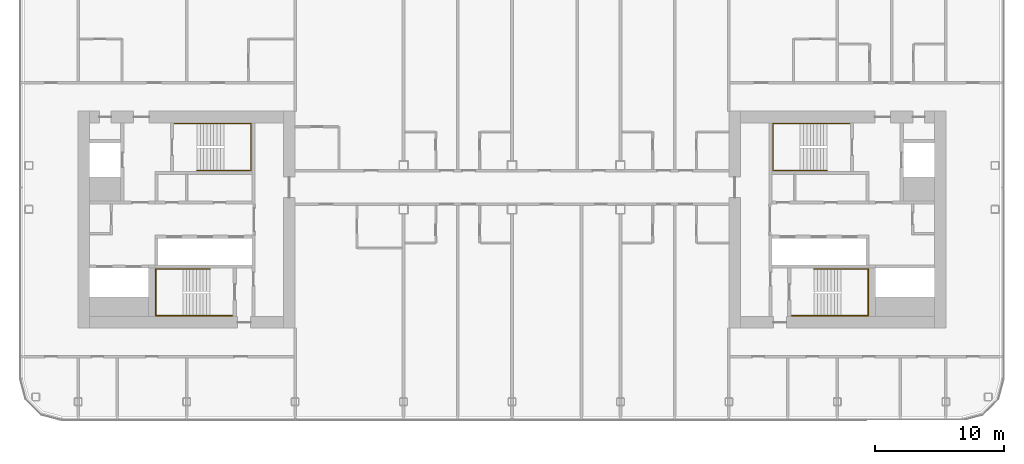
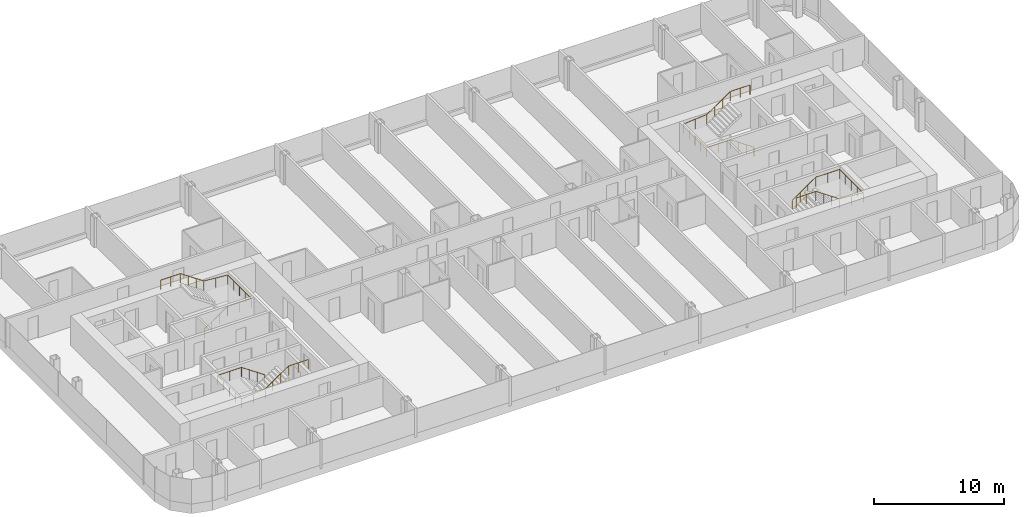
# One storey, part 26 of 26: 4 railings.
"""IFC4 building model written with IfcOpenShell, lengths in metres."""

from ifc_helpers import new_model, si_unit, direction, frame, origin, origin_2d, place, context, subcontext, project, spatial, circle, extrude, material, type_object, element, save


model = new_model("IFC4")

# Units and contexts
model_context = context("Model", 3, precision=1e-05, world=origin(), true_north=direction((0.0, 1.0)))
body_context = subcontext(model_context, "Body", "Model", "MODEL_VIEW")
ifc_project = project(units=[si_unit("LENGTHUNIT", "METRE"), si_unit("AREAUNIT", "SQUARE_METRE"), si_unit("VOLUMEUNIT", "CUBIC_METRE"), si_unit("PLANEANGLEUNIT", "RADIAN"), si_unit("MASSUNIT", "GRAM", prefix="KILO")], contexts=[model_context])

# Site, building, storey
site_placement = place(None, origin())
site = spatial("IfcSite", under=ifc_project, at=site_placement, CompositionType="ELEMENT")
building_placement = place(site_placement, origin())
building = spatial("IfcBuilding", under=site, at=building_placement, Name="Hakoniwa Tower and Hamabe Station Hall", CompositionType="ELEMENT")
storey_placement = place(building_placement, frame((0.0, 0.0, 209.0)))
storey = spatial("IfcBuildingStorey", under=building, at=storey_placement, Name="L59", CompositionType="ELEMENT", Elevation=209.0)

# Railings
ifc_material = material(Name="Stainless steel SUS304", Category="steel")
railing_type = type_object("IfcRailingType", Name="STAIR HANDRAIL 900", PredefinedType="HANDRAIL", material=ifc_material)
railing_1_placement = place(storey_placement, frame((-24.39990234375, 3.81005859375, 0.177734375)))
element("IfcRailing", 1, at=railing_1_placement, inside=storey, type_object=railing_type, Name="Handrail ST-1 L59 1", PredefinedType="HANDRAIL", context=body_context, shape_type="SweptSolid", body=[
    extrude(circle(Radius=0.02392578125, at=origin_2d()), frame((0.0, 0.0, 0.8759765625), z_axis=(0.825433201882, 0.0, 0.564499804456), x_axis=(0.0, 1.0, 0.0)), (0.0, 0.0, 1.0), 2.519775390625),
    extrude(circle(Radius=0.02392578125, at=origin_2d()), frame((2.079833984375, 0.0, 2.29833984375), z_axis=(1.0, 0.0, 0.0), x_axis=(0.0, 1.0, 0.0)), (0.0, 0.0, 1.0), 2.110107421875),
    extrude(circle(Radius=0.02392578125, at=origin_2d()), frame((4.18994140625, 0.0, 2.29833984375), z_axis=(0.0, 1.0, 0.0), x_axis=(-1.0, 0.0, 0.0)), (0.0, 0.0, 1.0), 3.6298828125),
    extrude(circle(Radius=0.02392578125, at=origin_2d()), frame((4.18994140625, 3.6298828125, 2.29833984375), z_axis=(-0.996471417081, 0.0, 0.083932800143), x_axis=(0.0, -1.0, 0.0)), (0.0, 0.0, 1.0), 2.11767578125),
    extrude(circle(Radius=0.02392578125, at=origin_2d()), frame((2.079833984375, 3.6298828125, 2.47607421875), z_axis=(-0.825478349766, 0.0, 0.564433781827), x_axis=(0.0, -1.0, 0.0)), (0.0, 0.0, 1.0), 2.51953125),
    extrude(circle(Radius=0.02392578125, at=origin_2d()), frame((0.0, 3.6298828125, 3.89794921875), z_axis=(-1.0, 0.0, 0.0), x_axis=(0.0, -1.0, 0.0)), (0.0, 0.0, 1.0), 1.739990234375),
    extrude(circle(Radius=0.02099609375, at=origin_2d()), origin(), (0.0, 0.0, 1.0), 0.851806640625),
    extrude(circle(Radius=0.02099609375, at=origin_2d()), frame((0.693359375, 0.0, 0.47412109375)), (0.0, 0.0, 1.0), 0.851806640625),
    extrude(circle(Radius=0.02099609375, at=origin_2d()), frame((1.386474609375, 0.0, 0.9482421875)), (0.0, 0.0, 1.0), 0.851806640625),
    extrude(circle(Radius=0.02099609375, at=origin_2d()), frame((2.079833984375, 0.0, 1.42236328125)), (0.0, 0.0, 1.0), 0.851806640625),
    extrude(circle(Radius=0.02099609375, at=origin_2d()), frame((3.134765625, 0.0, 1.42236328125)), (0.0, 0.0, 1.0), 0.851806640625),
    extrude(circle(Radius=0.02099609375, at=origin_2d()), frame((4.18994140625, 0.0, 1.42236328125)), (0.0, 0.0, 1.0), 0.851806640625),
    extrude(circle(Radius=0.02099609375, at=origin_2d()), frame((4.18994140625, 0.907470703125, 1.42236328125)), (0.0, 0.0, 1.0), 0.851806640625),
    extrude(circle(Radius=0.02099609375, at=origin_2d()), frame((4.18994140625, 1.81494140625, 1.42236328125)), (0.0, 0.0, 1.0), 0.851806640625),
    extrude(circle(Radius=0.02099609375, at=origin_2d()), frame((4.18994140625, 2.722412109375, 1.42236328125)), (0.0, 0.0, 1.0), 0.851806640625),
    extrude(circle(Radius=0.02099609375, at=origin_2d()), frame((4.18994140625, 3.6298828125, 1.42236328125)), (0.0, 0.0, 1.0), 0.851806640625),
    extrude(circle(Radius=0.02099609375, at=origin_2d()), frame((3.134765625, 3.6298828125, 1.51123046875)), (0.0, 0.0, 1.0), 0.851806640625),
    extrude(circle(Radius=0.02099609375, at=origin_2d()), frame((2.079833984375, 3.6298828125, 1.60009765625)), (0.0, 0.0, 1.0), 0.851806640625),
    extrude(circle(Radius=0.02099609375, at=origin_2d()), frame((1.386474609375, 3.6298828125, 2.07421875)), (0.0, 0.0, 1.0), 0.851806640625),
    extrude(circle(Radius=0.02099609375, at=origin_2d()), frame((0.693359375, 3.6298828125, 2.548095703125)), (0.0, 0.0, 1.0), 0.851806640625),
    extrude(circle(Radius=0.02099609375, at=origin_2d()), frame((0.0, 3.6298828125, 3.022216796875)), (0.0, 0.0, 1.0), 0.851806640625),
    extrude(circle(Radius=0.02099609375, at=origin_2d()), frame((-0.8701171875, 3.6298828125, 3.022216796875)), (0.0, 0.0, 1.0), 0.851806640625),
    extrude(circle(Radius=0.02099609375, at=origin_2d()), frame((-1.739990234375, 3.6298828125, 3.022216796875)), (0.0, 0.0, 1.0), 0.851806640625),
])
railing_2_placement = place(storey_placement, frame((-23.39990234375, -3.81005859375, 0.177734375)))
element("IfcRailing", 2, at=railing_2_placement, inside=storey, type_object=railing_type, Name="Handrail ST-2 L59 1", PredefinedType="HANDRAIL", context=body_context, shape_type="SweptSolid", body=[
    extrude(circle(Radius=0.02392578125, at=origin_2d()), frame((0.0, 0.0, 0.8759765625), z_axis=(-0.825464074169, 0.0, 0.564454659168), x_axis=(0.0, -1.0, 0.0)), (0.0, 0.0, 1.0), 2.519775390625),
    extrude(circle(Radius=0.02392578125, at=origin_2d()), frame((-2.080078125, 0.0, 2.29833984375), z_axis=(-1.0, 0.0, 0.0), x_axis=(0.0, -1.0, 0.0)), (0.0, 0.0, 1.0), 2.110107421875),
    extrude(circle(Radius=0.02392578125, at=origin_2d()), frame((-4.190185546875, 0.0, 2.29833984375), z_axis=(0.0, -1.0, 0.0), x_axis=(1.0, 0.0, 0.0)), (0.0, 0.0, 1.0), 3.6298828125),
    extrude(circle(Radius=0.02392578125, at=origin_2d()), frame((-4.190185546875, -3.6298828125, 2.29833984375), z_axis=(0.996471417081, 0.0, 0.083932800143), x_axis=(0.0, 1.0, 0.0)), (0.0, 0.0, 1.0), 2.11767578125),
    extrude(circle(Radius=0.02392578125, at=origin_2d()), frame((-2.080078125, -3.6298828125, 2.47607421875), z_axis=(0.82550921652, 0.0, 0.564388636881), x_axis=(0.0, 1.0, 0.0)), (0.0, 0.0, 1.0), 2.519775390625),
    extrude(circle(Radius=0.02392578125, at=origin_2d()), frame((0.0, -3.6298828125, 3.89794921875), z_axis=(1.0, 0.0, 0.0), x_axis=(0.0, 1.0, 0.0)), (0.0, 0.0, 1.0), 1.739990234375),
    extrude(circle(Radius=0.02099609375, at=origin_2d()), origin(), (0.0, 0.0, 1.0), 0.851806640625),
    extrude(circle(Radius=0.02099609375, at=origin_2d()), frame((-0.693359375, 0.0, 0.47412109375)), (0.0, 0.0, 1.0), 0.851806640625),
    extrude(circle(Radius=0.02099609375, at=origin_2d()), frame((-1.38671875, 0.0, 0.9482421875)), (0.0, 0.0, 1.0), 0.851806640625),
    extrude(circle(Radius=0.02099609375, at=origin_2d()), frame((-2.080078125, 0.0, 1.42236328125)), (0.0, 0.0, 1.0), 0.851806640625),
    extrude(circle(Radius=0.02099609375, at=origin_2d()), frame((-3.13525390625, 0.0, 1.42236328125)), (0.0, 0.0, 1.0), 0.851806640625),
    extrude(circle(Radius=0.02099609375, at=origin_2d()), frame((-4.190185546875, 0.0, 1.42236328125)), (0.0, 0.0, 1.0), 0.851806640625),
    extrude(circle(Radius=0.02099609375, at=origin_2d()), frame((-4.190185546875, -0.907470703125, 1.42236328125)), (0.0, 0.0, 1.0), 0.851806640625),
    extrude(circle(Radius=0.02099609375, at=origin_2d()), frame((-4.190185546875, -1.81494140625, 1.42236328125)), (0.0, 0.0, 1.0), 0.851806640625),
    extrude(circle(Radius=0.02099609375, at=origin_2d()), frame((-4.190185546875, -2.722412109375, 1.42236328125)), (0.0, 0.0, 1.0), 0.851806640625),
    extrude(circle(Radius=0.02099609375, at=origin_2d()), frame((-4.190185546875, -3.6298828125, 1.42236328125)), (0.0, 0.0, 1.0), 0.851806640625),
    extrude(circle(Radius=0.02099609375, at=origin_2d()), frame((-3.13525390625, -3.6298828125, 1.51123046875)), (0.0, 0.0, 1.0), 0.851806640625),
    extrude(circle(Radius=0.02099609375, at=origin_2d()), frame((-2.080078125, -3.6298828125, 1.60009765625)), (0.0, 0.0, 1.0), 0.851806640625),
    extrude(circle(Radius=0.02099609375, at=origin_2d()), frame((-1.38671875, -3.6298828125, 2.07421875)), (0.0, 0.0, 1.0), 0.851806640625),
    extrude(circle(Radius=0.02099609375, at=origin_2d()), frame((-0.693359375, -3.6298828125, 2.548095703125)), (0.0, 0.0, 1.0), 0.851806640625),
    extrude(circle(Radius=0.02099609375, at=origin_2d()), frame((0.0, -3.6298828125, 3.022216796875)), (0.0, 0.0, 1.0), 0.851806640625),
    extrude(circle(Radius=0.02099609375, at=origin_2d()), frame((0.8701171875, -3.6298828125, 3.022216796875)), (0.0, 0.0, 1.0), 0.851806640625),
    extrude(circle(Radius=0.02099609375, at=origin_2d()), frame((1.739990234375, -3.6298828125, 3.022216796875)), (0.0, 0.0, 1.0), 0.851806640625),
])
railing_3_placement = place(storey_placement, frame((24.39990234375, 3.81005859375, 0.177734375)))
element("IfcRailing", 3, at=railing_3_placement, inside=storey, type_object=railing_type, Name="Handrail ST-3 L59 1", PredefinedType="HANDRAIL", context=body_context, shape_type="SweptSolid", body=[
    extrude(circle(Radius=0.02392578125, at=origin_2d()), frame((0.0, 0.0, 0.8759765625), z_axis=(-0.825433201882, 0.0, 0.564499804456), x_axis=(0.0, -1.0, 0.0)), (0.0, 0.0, 1.0), 2.519775390625),
    extrude(circle(Radius=0.02392578125, at=origin_2d()), frame((-2.079833984375, 0.0, 2.29833984375), z_axis=(-1.0, 0.0, 0.0), x_axis=(0.0, -1.0, 0.0)), (0.0, 0.0, 1.0), 2.110107421875),
    extrude(circle(Radius=0.02392578125, at=origin_2d()), frame((-4.18994140625, 0.0, 2.29833984375), z_axis=(0.0, 1.0, 0.0), x_axis=(-1.0, 0.0, 0.0)), (0.0, 0.0, 1.0), 3.6298828125),
    extrude(circle(Radius=0.02392578125, at=origin_2d()), frame((-4.18994140625, 3.6298828125, 2.29833984375), z_axis=(0.996471417081, 0.0, 0.083932800143), x_axis=(0.0, 1.0, 0.0)), (0.0, 0.0, 1.0), 2.11767578125),
    extrude(circle(Radius=0.02392578125, at=origin_2d()), frame((-2.079833984375, 3.6298828125, 2.47607421875), z_axis=(0.825478349766, 0.0, 0.564433781827), x_axis=(0.0, 1.0, 0.0)), (0.0, 0.0, 1.0), 2.51953125),
    extrude(circle(Radius=0.02392578125, at=origin_2d()), frame((0.0, 3.6298828125, 3.89794921875), z_axis=(1.0, 0.0, 0.0), x_axis=(0.0, 1.0, 0.0)), (0.0, 0.0, 1.0), 1.739990234375),
    extrude(circle(Radius=0.02099609375, at=origin_2d()), origin(), (0.0, 0.0, 1.0), 0.851806640625),
    extrude(circle(Radius=0.02099609375, at=origin_2d()), frame((-0.693359375, 0.0, 0.47412109375)), (0.0, 0.0, 1.0), 0.851806640625),
    extrude(circle(Radius=0.02099609375, at=origin_2d()), frame((-1.386474609375, 0.0, 0.9482421875)), (0.0, 0.0, 1.0), 0.851806640625),
    extrude(circle(Radius=0.02099609375, at=origin_2d()), frame((-2.079833984375, 0.0, 1.42236328125)), (0.0, 0.0, 1.0), 0.851806640625),
    extrude(circle(Radius=0.02099609375, at=origin_2d()), frame((-3.134765625, 0.0, 1.42236328125)), (0.0, 0.0, 1.0), 0.851806640625),
    extrude(circle(Radius=0.02099609375, at=origin_2d()), frame((-4.18994140625, 0.0, 1.42236328125)), (0.0, 0.0, 1.0), 0.851806640625),
    extrude(circle(Radius=0.02099609375, at=origin_2d()), frame((-4.18994140625, 0.907470703125, 1.42236328125)), (0.0, 0.0, 1.0), 0.851806640625),
    extrude(circle(Radius=0.02099609375, at=origin_2d()), frame((-4.18994140625, 1.81494140625, 1.42236328125)), (0.0, 0.0, 1.0), 0.851806640625),
    extrude(circle(Radius=0.02099609375, at=origin_2d()), frame((-4.18994140625, 2.722412109375, 1.42236328125)), (0.0, 0.0, 1.0), 0.851806640625),
    extrude(circle(Radius=0.02099609375, at=origin_2d()), frame((-4.18994140625, 3.6298828125, 1.42236328125)), (0.0, 0.0, 1.0), 0.851806640625),
    extrude(circle(Radius=0.02099609375, at=origin_2d()), frame((-3.134765625, 3.6298828125, 1.51123046875)), (0.0, 0.0, 1.0), 0.851806640625),
    extrude(circle(Radius=0.02099609375, at=origin_2d()), frame((-2.079833984375, 3.6298828125, 1.60009765625)), (0.0, 0.0, 1.0), 0.851806640625),
    extrude(circle(Radius=0.02099609375, at=origin_2d()), frame((-1.386474609375, 3.6298828125, 2.07421875)), (0.0, 0.0, 1.0), 0.851806640625),
    extrude(circle(Radius=0.02099609375, at=origin_2d()), frame((-0.693359375, 3.6298828125, 2.548095703125)), (0.0, 0.0, 1.0), 0.851806640625),
    extrude(circle(Radius=0.02099609375, at=origin_2d()), frame((0.0, 3.6298828125, 3.022216796875)), (0.0, 0.0, 1.0), 0.851806640625),
    extrude(circle(Radius=0.02099609375, at=origin_2d()), frame((0.8701171875, 3.6298828125, 3.022216796875)), (0.0, 0.0, 1.0), 0.851806640625),
    extrude(circle(Radius=0.02099609375, at=origin_2d()), frame((1.739990234375, 3.6298828125, 3.022216796875)), (0.0, 0.0, 1.0), 0.851806640625),
])
railing_4_placement = place(storey_placement, frame((23.39990234375, -3.81005859375, 0.177734375)))
element("IfcRailing", 4, at=railing_4_placement, inside=storey, type_object=railing_type, Name="Handrail ST-4 L59 1", PredefinedType="HANDRAIL", context=body_context, shape_type="SweptSolid", body=[
    extrude(circle(Radius=0.02392578125, at=origin_2d()), frame((0.0, 0.0, 0.8759765625), z_axis=(0.825464074169, 0.0, 0.564454659168), x_axis=(0.0, 1.0, 0.0)), (0.0, 0.0, 1.0), 2.519775390625),
    extrude(circle(Radius=0.02392578125, at=origin_2d()), frame((2.080078125, 0.0, 2.29833984375), z_axis=(1.0, 0.0, 0.0), x_axis=(0.0, 1.0, 0.0)), (0.0, 0.0, 1.0), 2.110107421875),
    extrude(circle(Radius=0.02392578125, at=origin_2d()), frame((4.190185546875, 0.0, 2.29833984375), z_axis=(0.0, -1.0, 0.0), x_axis=(1.0, 0.0, 0.0)), (0.0, 0.0, 1.0), 3.6298828125),
    extrude(circle(Radius=0.02392578125, at=origin_2d()), frame((4.190185546875, -3.6298828125, 2.29833984375), z_axis=(-0.996471417081, 0.0, 0.083932800143), x_axis=(0.0, -1.0, 0.0)), (0.0, 0.0, 1.0), 2.11767578125),
    extrude(circle(Radius=0.02392578125, at=origin_2d()), frame((2.080078125, -3.6298828125, 2.47607421875), z_axis=(-0.82550921652, 0.0, 0.564388636881), x_axis=(0.0, -1.0, 0.0)), (0.0, 0.0, 1.0), 2.519775390625),
    extrude(circle(Radius=0.02392578125, at=origin_2d()), frame((0.0, -3.6298828125, 3.89794921875), z_axis=(-1.0, 0.0, 0.0), x_axis=(0.0, -1.0, 0.0)), (0.0, 0.0, 1.0), 1.739990234375),
    extrude(circle(Radius=0.02099609375, at=origin_2d()), origin(), (0.0, 0.0, 1.0), 0.851806640625),
    extrude(circle(Radius=0.02099609375, at=origin_2d()), frame((0.693359375, 0.0, 0.47412109375)), (0.0, 0.0, 1.0), 0.851806640625),
    extrude(circle(Radius=0.02099609375, at=origin_2d()), frame((1.38671875, 0.0, 0.9482421875)), (0.0, 0.0, 1.0), 0.851806640625),
    extrude(circle(Radius=0.02099609375, at=origin_2d()), frame((2.080078125, 0.0, 1.42236328125)), (0.0, 0.0, 1.0), 0.851806640625),
    extrude(circle(Radius=0.02099609375, at=origin_2d()), frame((3.13525390625, 0.0, 1.42236328125)), (0.0, 0.0, 1.0), 0.851806640625),
    extrude(circle(Radius=0.02099609375, at=origin_2d()), frame((4.190185546875, 0.0, 1.42236328125)), (0.0, 0.0, 1.0), 0.851806640625),
    extrude(circle(Radius=0.02099609375, at=origin_2d()), frame((4.190185546875, -0.907470703125, 1.42236328125)), (0.0, 0.0, 1.0), 0.851806640625),
    extrude(circle(Radius=0.02099609375, at=origin_2d()), frame((4.190185546875, -1.81494140625, 1.42236328125)), (0.0, 0.0, 1.0), 0.851806640625),
    extrude(circle(Radius=0.02099609375, at=origin_2d()), frame((4.190185546875, -2.722412109375, 1.42236328125)), (0.0, 0.0, 1.0), 0.851806640625),
    extrude(circle(Radius=0.02099609375, at=origin_2d()), frame((4.190185546875, -3.6298828125, 1.42236328125)), (0.0, 0.0, 1.0), 0.851806640625),
    extrude(circle(Radius=0.02099609375, at=origin_2d()), frame((3.13525390625, -3.6298828125, 1.51123046875)), (0.0, 0.0, 1.0), 0.851806640625),
    extrude(circle(Radius=0.02099609375, at=origin_2d()), frame((2.080078125, -3.6298828125, 1.60009765625)), (0.0, 0.0, 1.0), 0.851806640625),
    extrude(circle(Radius=0.02099609375, at=origin_2d()), frame((1.38671875, -3.6298828125, 2.07421875)), (0.0, 0.0, 1.0), 0.851806640625),
    extrude(circle(Radius=0.02099609375, at=origin_2d()), frame((0.693359375, -3.6298828125, 2.548095703125)), (0.0, 0.0, 1.0), 0.851806640625),
    extrude(circle(Radius=0.02099609375, at=origin_2d()), frame((0.0, -3.6298828125, 3.022216796875)), (0.0, 0.0, 1.0), 0.851806640625),
    extrude(circle(Radius=0.02099609375, at=origin_2d()), frame((-0.8701171875, -3.6298828125, 3.022216796875)), (0.0, 0.0, 1.0), 0.851806640625),
    extrude(circle(Radius=0.02099609375, at=origin_2d()), frame((-1.739990234375, -3.6298828125, 3.022216796875)), (0.0, 0.0, 1.0), 0.851806640625),
])

save(model, "model.ifc")
